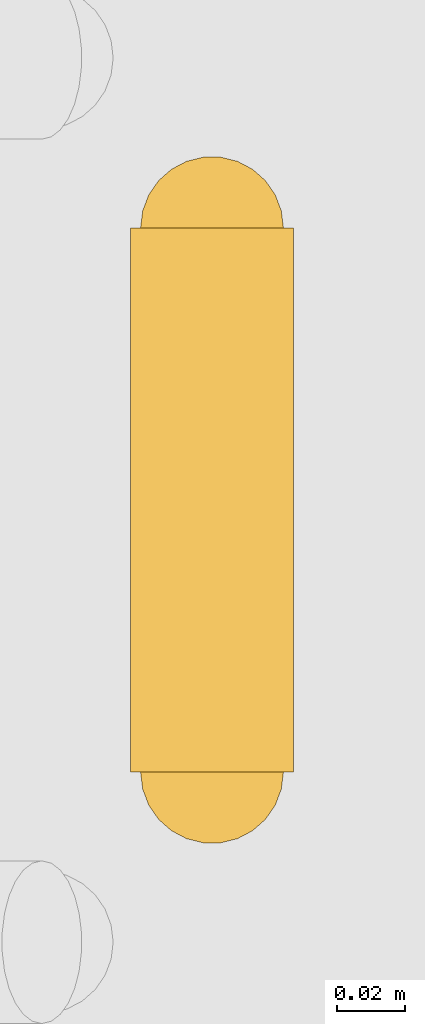
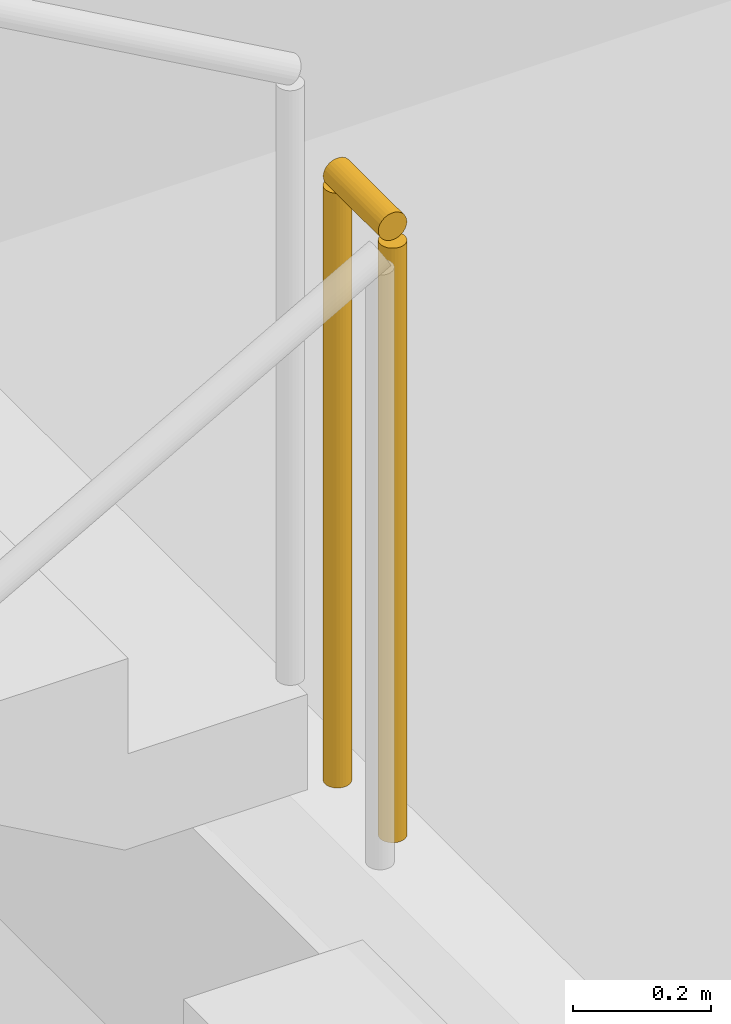
# One storey, part 21 of 23: 1 railing.
"""IFC4 building model written with IfcOpenShell, lengths in metres."""

from ifc_helpers import new_model, si_unit, direction, frame, origin, origin_2d, place, context, subcontext, project, spatial, circle, extrude, material, layer, layer_set, type_object, element, save


model = new_model("IFC4")

# Units and contexts
model_context = context("Model", 3, precision=1e-05, world=origin(), true_north=direction((0.0, 1.0)))
body_context = subcontext(model_context, "Body", "Model", "MODEL_VIEW")
ifc_project = project(units=[si_unit("LENGTHUNIT", "METRE"), si_unit("AREAUNIT", "SQUARE_METRE"), si_unit("VOLUMEUNIT", "CUBIC_METRE"), si_unit("PLANEANGLEUNIT", "RADIAN"), si_unit("MASSUNIT", "GRAM", prefix="KILO")], contexts=[model_context])

# Site, building, storey
site_placement = place(None, origin())
site = spatial("IfcSite", under=ifc_project, at=site_placement, CompositionType="ELEMENT")
building_placement = place(site_placement, origin())
building = spatial("IfcBuilding", under=site, at=building_placement, Name="Dornvale Research Institute", CompositionType="ELEMENT")
storey_placement = place(building_placement, frame((0.0, 0.0, -5.39990234375)))
storey = spatial("IfcBuildingStorey", under=building, at=storey_placement, Name="B1", CompositionType="ELEMENT", Elevation=-5.39990234375)

# Railing
ifc_material = material(Name="Galvanized Painted Tubular Steel Stair Rail", Category="steel")
ifc_layer = layer(ifc_material, 0.050048828125)
ifc_layer_set = layer_set([ifc_layer], Name="Galvanized Painted Tubular Steel Stair Rail")
railing_type = type_object("IfcRailingType", Name="Railing_Stair_Guard_1100", PredefinedType="GUARDRAIL", material=ifc_layer_set)
railing_placement = place(storey_placement, frame((127.570068359375, 94.820068359375, 2.699951171875)))
element("IfcRailing", 1, at=railing_placement, inside=storey, type_object=railing_type, Name="B1 ST-3 stair guard 2", PredefinedType="GUARDRAIL", context=body_context, shape_type="SweptSolid", body=[
    extrude(circle(Radius=0.02392578125, at=origin_2d()), frame((0.0, 0.0, 1.076171875), z_axis=(0.0, 1.0, 0.0), x_axis=(-1.0, 0.0, 0.0)), (0.0, 0.0, 1.0), 0.159912109375),
    extrude(circle(Radius=0.02099609375, at=origin_2d()), origin(), (0.0, 0.0, 1.0), 1.052001953125),
    extrude(circle(Radius=0.02099609375, at=origin_2d()), frame((0.0, 0.159912109375, 0.0)), (0.0, 0.0, 1.0), 1.052001953125),
])

save(model, "model.ifc")
